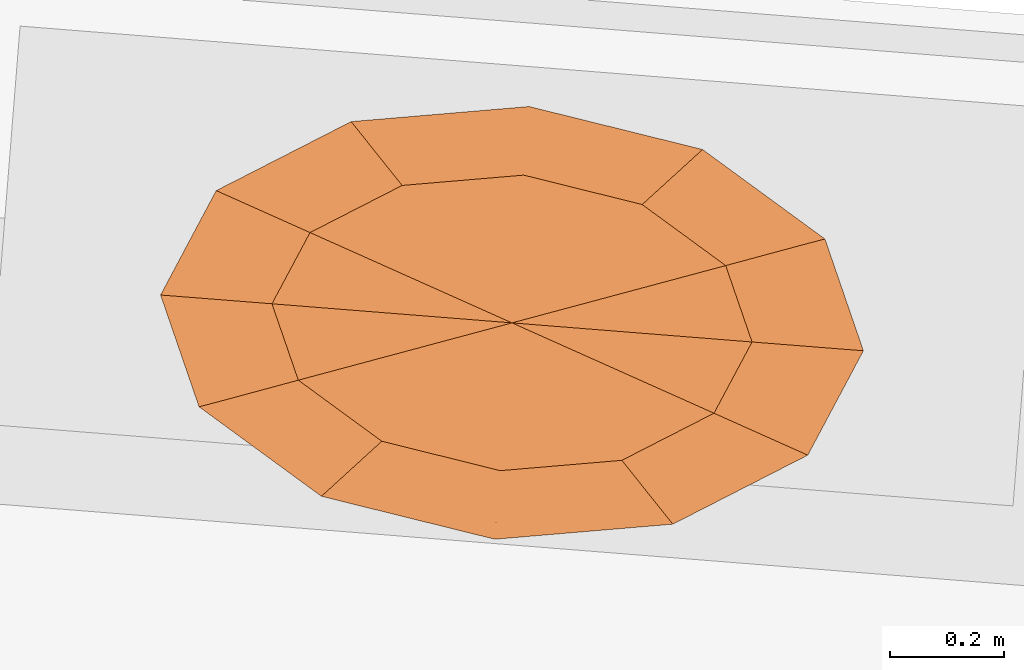
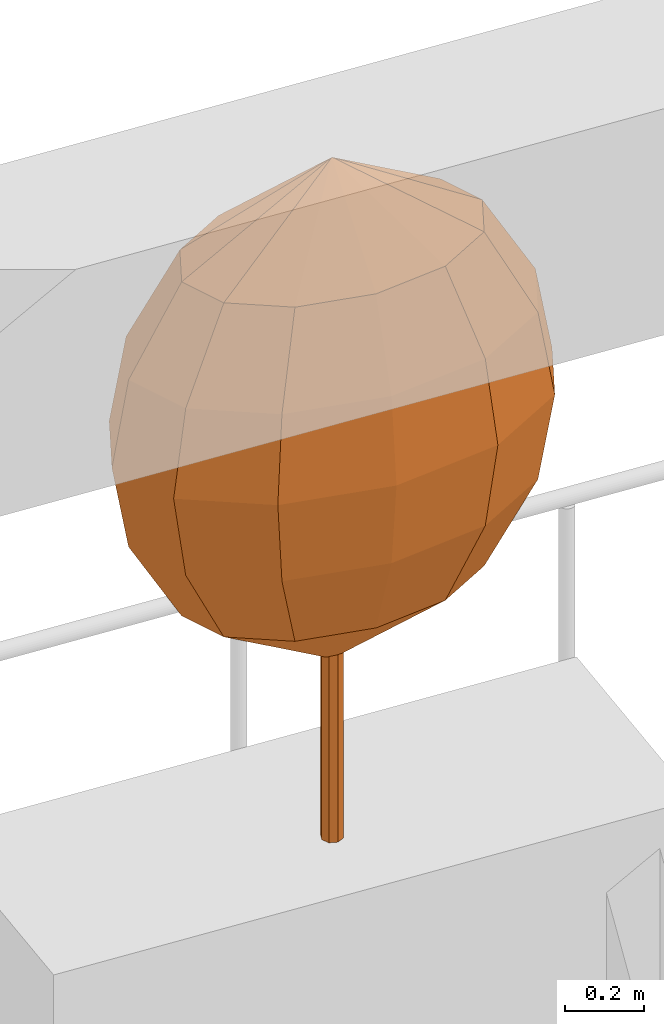
# One storey, part 12 of 12: 1 geographic element.
"""IFC4 building model written with IfcOpenShell, lengths in metres."""

from ifc_helpers import new_model, si_unit, direction, frame, origin, place, context, subcontext, project, spatial, faceted_brep, material, constituent, constituent_set, type_object, element, save


model = new_model("IFC4")

# Units and contexts
model_context = context("Model", 3, precision=1e-05, world=origin(), true_north=direction((0.0, 1.0)))
body_context = subcontext(model_context, "Body", "Model", "MODEL_VIEW")
ifc_project = project(units=[si_unit("LENGTHUNIT", "METRE"), si_unit("AREAUNIT", "SQUARE_METRE"), si_unit("VOLUMEUNIT", "CUBIC_METRE"), si_unit("PLANEANGLEUNIT", "RADIAN"), si_unit("MASSUNIT", "GRAM", prefix="KILO")], contexts=[model_context])

# Site, building, storey
site_placement = place(None, origin())
site = spatial("IfcSite", under=ifc_project, at=site_placement, CompositionType="ELEMENT")
building_placement = place(site_placement, origin())
building = spatial("IfcBuilding", under=site, at=building_placement, Name="Taillehof Tower", CompositionType="ELEMENT")
storey_placement = place(building_placement, frame((0.0, 0.0, 88.89990234375)))
storey = spatial("IfcBuildingStorey", under=building, at=storey_placement, Name="L24", CompositionType="ELEMENT", Elevation=88.89990234375)

# Geographic element
ifc_material_1 = material(Name="Tree bark", Category="timber")
ifc_constituent_1 = constituent(ifc_material_1, Name="Trunk", Category="timber")
ifc_material_2 = material(Name="Tree foliage")
ifc_constituent_2 = constituent(ifc_material_2, Name="Crown")
ifc_constituent_set = constituent_set(constituents=[ifc_constituent_1, ifc_constituent_2], Name="Tree TR1 Columnar hornbeam")
geographic_element_type = type_object("IfcGeographicElementType", Name="Tree TR1 Columnar hornbeam", PredefinedType="USERDEFINED", material=ifc_constituent_set)
geographic_element_placement = place(storey_placement, frame((3.072998046875, 23.007568359375, 0.75)))
element("IfcGeographicElement", 1, at=geographic_element_placement, inside=storey, type_object=geographic_element_type, Name="Tree TR1 Columnar hornbeam", ObjectType="TREE", PredefinedType="USERDEFINED", context=body_context, shape_type="Brep", body=[
    faceted_brep([(0.030029296875, 0.0, 0.0), (0.021240234375, 0.021240234375, 0.0), (0.021240234375, 0.021240234375, 1.092529296875), (0.030029296875, 0.0, 1.092529296875), (0.0, 0.030029296875, 0.0), (0.0, 0.030029296875, 1.092529296875), (-0.021240234375, 0.021240234375, 0.0), (-0.021240234375, 0.021240234375, 1.092529296875), (-0.030029296875, 0.0, 0.0), (-0.030029296875, 0.0, 1.092529296875), (-0.021240234375, -0.021240234375, 0.0), (-0.021240234375, -0.021240234375, 1.092529296875), (0.0, -0.030029296875, 0.0), (0.0, -0.030029296875, 1.092529296875), (0.021240234375, -0.021240234375, 0.0), (0.021240234375, -0.021240234375, 1.092529296875)], [[[0, 1, 2, 3]], [[1, 4, 5, 2]], [[4, 6, 7, 5]], [[6, 8, 9, 7]], [[8, 10, 11, 9]], [[10, 12, 13, 11]], [[12, 14, 15, 13]], [[14, 0, 3, 15]], [[14, 12, 10, 8, 6, 4, 1, 0]], [[3, 2, 5, 7, 9, 11, 13, 15]]]),
    faceted_brep([(0.0, 0.0, 0.550048828125), (-0.374267578125, -0.100341796875, 0.808349609375), (-0.42041015625, 0.033447265625, 0.808349609375), (-0.22802734375, -0.207275390625, 0.808349609375), (-0.0205078125, -0.2587890625, 0.808349609375), (0.1923828125, -0.24072265625, 0.808349609375), (0.353759765625, -0.158203125, 0.808349609375), (0.42041015625, -0.033447265625, 0.808349609375), (0.374267578125, 0.100341796875, 0.808349609375), (0.22802734375, 0.207275390625, 0.808349609375), (0.0205078125, 0.2587890625, 0.808349609375), (-0.1923828125, 0.24072265625, 0.808349609375), (-0.353759765625, 0.158203125, 0.808349609375), (-0.50634765625, -0.135986328125, 1.066650390625), (-0.56884765625, 0.045166015625, 1.066650390625), (-0.308349609375, -0.280517578125, 1.066650390625), (-0.02783203125, -0.35009765625, 1.066650390625), (0.26025390625, -0.32568359375, 1.066650390625), (0.478759765625, -0.214111328125, 1.066650390625), (0.56884765625, -0.045166015625, 1.066650390625), (0.50634765625, 0.135986328125, 1.066650390625), (0.308349609375, 0.280517578125, 1.066650390625), (0.02783203125, 0.35009765625, 1.066650390625), (-0.26025390625, 0.32568359375, 1.066650390625), (-0.478759765625, 0.214111328125, 1.066650390625), (-0.548095703125, -0.14697265625, 1.324951171875), (-0.615478515625, 0.048828125, 1.324951171875), (-0.333740234375, -0.3037109375, 1.324951171875), (-0.030029296875, -0.37890625, 1.324951171875), (0.28173828125, -0.3525390625, 1.324951171875), (0.51806640625, -0.231689453125, 1.324951171875), (0.615478515625, -0.048828125, 1.324951171875), (0.548095703125, 0.14697265625, 1.324951171875), (0.333740234375, 0.3037109375, 1.324951171875), (0.030029296875, 0.37890625, 1.324951171875), (-0.28173828125, 0.3525390625, 1.324951171875), (-0.51806640625, 0.231689453125, 1.324951171875), (-0.50634765625, -0.135986328125, 1.583251953125), (-0.56884765625, 0.045166015625, 1.583251953125), (-0.308349609375, -0.280517578125, 1.583251953125), (-0.02783203125, -0.35009765625, 1.583251953125), (0.26025390625, -0.32568359375, 1.583251953125), (0.478759765625, -0.214111328125, 1.583251953125), (0.56884765625, -0.045166015625, 1.583251953125), (0.50634765625, 0.135986328125, 1.583251953125), (0.308349609375, 0.280517578125, 1.583251953125), (0.02783203125, 0.35009765625, 1.583251953125), (-0.26025390625, 0.32568359375, 1.583251953125), (-0.478759765625, 0.214111328125, 1.583251953125), (-0.374267578125, -0.100341796875, 1.841552734375), (-0.42041015625, 0.033447265625, 1.841552734375), (-0.22802734375, -0.207275390625, 1.841552734375), (-0.0205078125, -0.2587890625, 1.841552734375), (0.1923828125, -0.24072265625, 1.841552734375), (0.353759765625, -0.158203125, 1.841552734375), (0.42041015625, -0.033447265625, 1.841552734375), (0.374267578125, 0.100341796875, 1.841552734375), (0.22802734375, 0.207275390625, 1.841552734375), (0.0205078125, 0.2587890625, 1.841552734375), (-0.1923828125, 0.24072265625, 1.841552734375), (-0.353759765625, 0.158203125, 1.841552734375), (0.0, 0.0, 2.10009765625)], [[[0, 1, 2]], [[0, 3, 1]], [[0, 4, 3]], [[0, 5, 4]], [[0, 6, 5]], [[0, 7, 6]], [[0, 8, 7]], [[0, 9, 8]], [[0, 10, 9]], [[0, 11, 10]], [[0, 12, 11]], [[0, 2, 12]], [[2, 1, 13, 14]], [[1, 3, 15, 13]], [[3, 4, 16, 15]], [[4, 5, 17, 16]], [[5, 6, 18, 17]], [[6, 7, 19, 18]], [[7, 8, 20, 19]], [[8, 9, 21, 20]], [[9, 10, 22, 21]], [[10, 11, 23, 22]], [[11, 12, 24, 23]], [[12, 2, 14, 24]], [[14, 13, 25, 26]], [[13, 15, 27, 25]], [[15, 16, 28, 27]], [[16, 17, 29, 28]], [[17, 18, 30, 29]], [[18, 19, 31, 30]], [[19, 20, 32, 31]], [[20, 21, 33, 32]], [[21, 22, 34, 33]], [[22, 23, 35, 34]], [[23, 24, 36, 35]], [[24, 14, 26, 36]], [[26, 25, 37, 38]], [[25, 27, 39, 37]], [[27, 28, 40, 39]], [[28, 29, 41, 40]], [[29, 30, 42, 41]], [[30, 31, 43, 42]], [[31, 32, 44, 43]], [[32, 33, 45, 44]], [[33, 34, 46, 45]], [[34, 35, 47, 46]], [[35, 36, 48, 47]], [[36, 26, 38, 48]], [[38, 37, 49, 50]], [[37, 39, 51, 49]], [[39, 40, 52, 51]], [[40, 41, 53, 52]], [[41, 42, 54, 53]], [[42, 43, 55, 54]], [[43, 44, 56, 55]], [[44, 45, 57, 56]], [[45, 46, 58, 57]], [[46, 47, 59, 58]], [[47, 48, 60, 59]], [[48, 38, 50, 60]], [[50, 49, 61]], [[49, 51, 61]], [[51, 52, 61]], [[52, 53, 61]], [[53, 54, 61]], [[54, 55, 61]], [[55, 56, 61]], [[56, 57, 61]], [[57, 58, 61]], [[58, 59, 61]], [[59, 60, 61]], [[60, 50, 61]]]),
])

save(model, "model.ifc")
